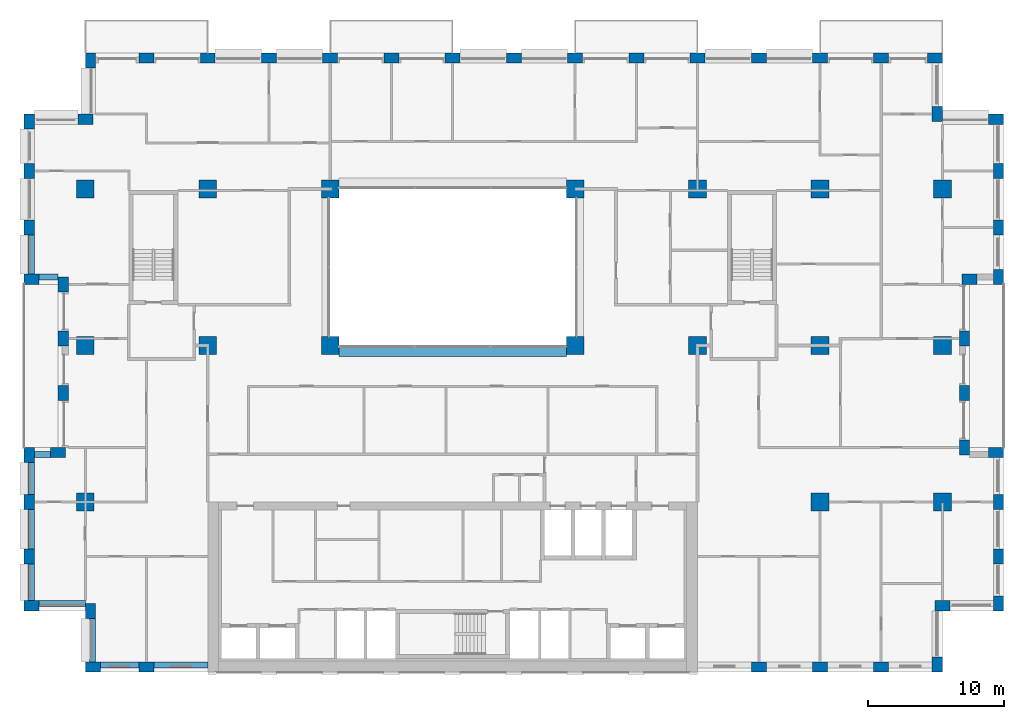
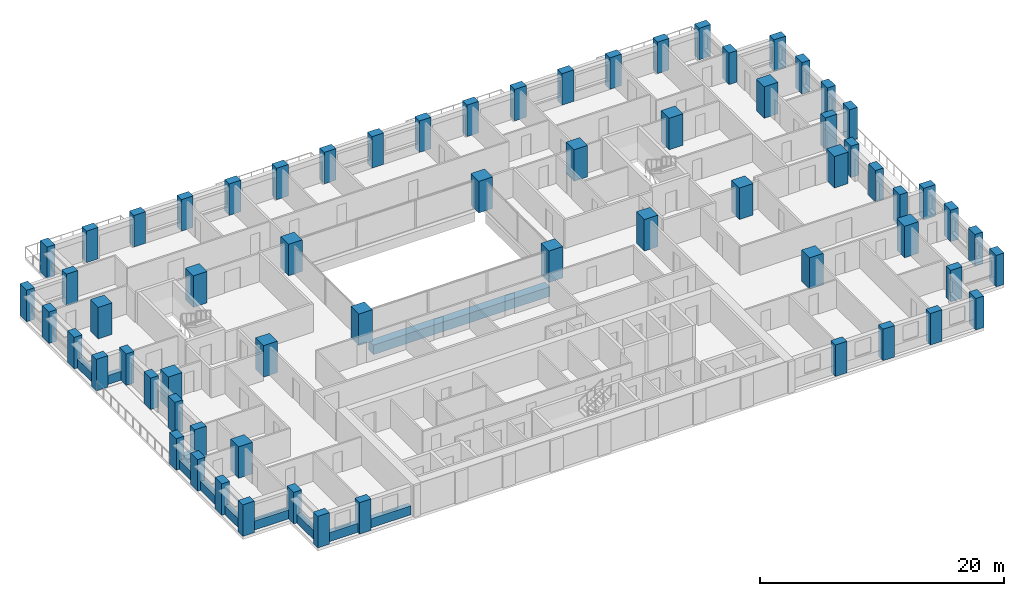
# One storey, part 1 of 16: 66 columns, 11 beams.
"""IFC4 building model written with IfcOpenShell, lengths in metres."""

from ifc_helpers import new_model, si_unit, direction, frame, origin, origin_2d, place, context, subcontext, project, spatial, rectangle, extrude, material, material_profile, profile_set, type_object, element, save


model = new_model("IFC4")

# Units and contexts
model_context = context("Model", 3, precision=1e-05, world=origin(), true_north=direction((0.0, 1.0)))
body_context = subcontext(model_context, "Body", "Model", "MODEL_VIEW")
ifc_project = project(units=[si_unit("LENGTHUNIT", "METRE"), si_unit("AREAUNIT", "SQUARE_METRE"), si_unit("VOLUMEUNIT", "CUBIC_METRE"), si_unit("PLANEANGLEUNIT", "RADIAN"), si_unit("MASSUNIT", "GRAM", prefix="KILO")], contexts=[model_context])

# Site, building, storey
site_placement = place(None, origin())
site = spatial("IfcSite", under=ifc_project, at=site_placement, CompositionType="ELEMENT")
building_placement = place(site_placement, origin())
building = spatial("IfcBuilding", under=site, at=building_placement, Name="Brigalow Station Residences", CompositionType="ELEMENT")
storey_placement = place(building_placement, frame((0.0, 0.0, 115.050048828125)))
storey = spatial("IfcBuildingStorey", under=building, at=storey_placement, Name="L33", CompositionType="ELEMENT", Elevation=115.050048828125)

# Columns
ifc_material_1 = material(Name="Concrete C65", Category="concrete")
ifc_material_profile_1 = material_profile(ifc_material_1, rectangle(XDim=1.300048828125, YDim=1.300048828125, at=origin_2d()), Name="RC1300x1300")
ifc_profile_set_1 = profile_set([ifc_material_profile_1], Name="Concrete C65")
column_type_1 = type_object("IfcColumnType", Name="COLUMN 1300x1300 C65", PredefinedType="COLUMN", material=ifc_profile_set_1)
for number, where, z_axis, x_axis, name in (
    (1, (9.0, 24.0, 0.0), (0.0, 0.0, 1.0), (1.0, 0.0, 0.0), "COLUMN C1 L33"),
    (2, (18.0, 24.0, 0.0), (0.0, 0.0, 1.0), (1.0, 0.0, 0.0), "COLUMN C2 L33"),
    (3, (27.0, 24.0, 0.0), (0.0, 0.0, 1.0), (1.0, 0.0, 0.0), "COLUMN C3 L33"),
    (4, (45.0, 24.0, 0.0), (0.0, 0.0, 1.0), (1.0, 0.0, 0.0), "COLUMN C5 L33"),
    (5, (54.0, 24.0, 0.0), (0.0, 0.0, 1.0), (1.0, 0.0, 0.0), "COLUMN C6 L33"),
    (6, (63.0, 24.0, 0.0), (0.0, 0.0, 1.0), (1.0, 0.0, 0.0), "COLUMN C7 L33"),
    (7, (72.0, 24.0, 0.0), (0.0, 0.0, 1.0), (1.0, 0.0, 0.0), "COLUMN C8 L33"),
    (8, (9.0, 35.5, 0.0), (0.0, 0.0, 1.0), (1.0, 0.0, 0.0), "COLUMN D1 L33"),
    (9, (18.0, 35.5, 0.0), (0.0, 0.0, 1.0), (1.0, 0.0, 0.0), "COLUMN D2 L33"),
    (10, (27.0, 35.5, 0.0), (0.0, 0.0, 1.0), (1.0, 0.0, 0.0), "COLUMN D3 L33"),
    (11, (45.0, 35.5, 0.0), (0.0, 0.0, 1.0), (1.0, 0.0, 0.0), "COLUMN D5 L33"),
    (12, (54.0, 35.5, 0.0), (0.0, 0.0, 1.0), (1.0, 0.0, 0.0), "COLUMN D6 L33"),
    (13, (63.0, 35.5, 0.0), (0.0, 0.0, 1.0), (1.0, 0.0, 0.0), "COLUMN D7 L33"),
    (14, (72.0, 35.5, 0.0), (0.0, 0.0, 1.0), (1.0, 0.0, 0.0), "COLUMN D8 L33"),
    (15, (9.0, 12.5, 0.0), (0.0, 0.0, 1.0), (1.0, 0.0, 0.0), "COLUMN B1 L33"),
    (16, (63.0, 12.5, 0.0), (0.0, 0.0, 1.0), (1.0, 0.0, 0.0), "COLUMN B7 L33"),
    (17, (72.0, 12.5, 0.0), (0.0, 0.0, 1.0), (1.0, 0.0, 0.0), "COLUMN B8 L33"),
):
    element("IfcColumn", number, at=place(storey_placement, frame(where, z_axis=z_axis, x_axis=x_axis)), inside=storey, type_object=column_type_1, Name=name, PredefinedType="COLUMN", context=body_context, shape_type="SweptSolid", body=[
        extrude(rectangle(XDim=1.300048828125, YDim=1.300048828125, at=origin_2d()), origin(), (0.0, 0.0, 1.0), 3.14990234375),
    ])
ifc_material_2 = material(Name="Concrete C65", Category="concrete")
ifc_material_profile_2 = material_profile(ifc_material_2, rectangle(XDim=1.10009765625, YDim=0.75, at=origin_2d()), Name="RC1100x750")
ifc_profile_set_2 = profile_set([ifc_material_profile_2], Name="Concrete C65")
column_type_2 = type_object("IfcColumnType", Name="PIER 1100x750 C65", PredefinedType="USERDEFINED", material=ifc_profile_set_2)
for number, where, z_axis, x_axis, name in (
    (18, (9.550048828125, 0.375, 0.0), (0.0, 0.0, 1.0), (1.0, 0.0, 0.0), "PIER S-1 L33"),
    (19, (13.5, 0.375, 0.0), (0.0, 0.0, 1.0), (1.0, 0.0, 0.0), "PIER S-2 L33"),
    (20, (58.5, 0.375, 0.0), (0.0, 0.0, 1.0), (1.0, 0.0, 0.0), "PIER S-12 L33"),
    (21, (63.0, 0.375, 0.0), (0.0, 0.0, 1.0), (1.0, 0.0, 0.0), "PIER S-13 L33"),
    (22, (67.5, 0.375, 0.0), (0.0, 0.0, 1.0), (1.0, 0.0, 0.0), "PIER S-14 L33"),
    (23, (71.625, 0.550048828125, 0.0), (0.0, 0.0, 1.0), (0.0, 1.0, 0.0), "PIER SE1-1 L33"),
    (24, (72.0, 4.875, 0.0), (0.0, 0.0, 1.0), (1.0, 0.0, 0.0), "PIER SE2-1 L33"),
    (25, (76.125, 5.050048828125, 0.0), (0.0, 0.0, 1.0), (0.0, 1.0, 0.0), "PIER E1-1 L33"),
    (26, (76.125, 8.5, 0.0), (0.0, 0.0, 1.0), (0.0, 1.0, 0.0), "PIER E1-2 L33"),
    (27, (76.125, 12.5, 0.0), (0.0, 0.0, 1.0), (0.0, 1.0, 0.0), "PIER E1-3 L33"),
    (28, (75.949951171875, 16.125, 0.0), (0.0, 0.0, 1.0), (-1.0, 0.0, 0.0), "PIER EL1-1 L33"),
    (29, (73.625, 16.5, 0.0), (0.0, 0.0, 1.0), (0.0, 1.0, 0.0), "PIER EL2-1 L33"),
    (30, (73.625, 20.5, 0.0), (0.0, 0.0, 1.0), (0.0, 1.0, 0.0), "PIER EL2-2 L33"),
    (31, (73.625, 24.5, 0.0), (0.0, 0.0, 1.0), (0.0, 1.0, 0.0), "PIER EL2-3 L33"),
    (32, (74.0, 28.875, 0.0), (0.0, 0.0, 1.0), (1.0, 0.0, 0.0), "PIER EL3-1 L33"),
    (33, (76.125, 29.050048828125, 0.0), (0.0, 0.0, 1.0), (0.0, 1.0, 0.0), "PIER E2-1 L33"),
    (34, (76.125, 32.6669921875, 0.0), (0.0, 0.0, 1.0), (0.0, 1.0, 0.0), "PIER E2-2 L33"),
    (35, (76.125, 36.8330078125, 0.0), (0.0, 0.0, 1.0), (0.0, 1.0, 0.0), "PIER E2-3 L33"),
    (36, (75.949951171875, 40.625, 0.0), (0.0, 0.0, 1.0), (-1.0, 0.0, 0.0), "PIER NE1-1 L33"),
    (37, (71.625, 41.0, 0.0), (0.0, 0.0, 1.0), (0.0, 1.0, 0.0), "PIER NE2-1 L33"),
    (38, (71.449951171875, 45.125, 0.0), (0.0, 0.0, 1.0), (-1.0, 0.0, 0.0), "PIER N-1 L33"),
    (39, (67.5, 45.125, 0.0), (0.0, 0.0, 1.0), (-1.0, 0.0, 0.0), "PIER N-2 L33"),
    (40, (63.0, 45.125, 0.0), (0.0, 0.0, 1.0), (-1.0, 0.0, 0.0), "PIER N-3 L33"),
    (41, (58.5, 45.125, 0.0), (0.0, 0.0, 1.0), (-1.0, 0.0, 0.0), "PIER N-4 L33"),
    (42, (54.0, 45.125, 0.0), (0.0, 0.0, 1.0), (-1.0, 0.0, 0.0), "PIER N-5 L33"),
    (43, (49.5, 45.125, 0.0), (0.0, 0.0, 1.0), (-1.0, 0.0, 0.0), "PIER N-6 L33"),
    (44, (45.0, 45.125, 0.0), (0.0, 0.0, 1.0), (-1.0, 0.0, 0.0), "PIER N-7 L33"),
    (45, (40.5, 45.125, 0.0), (0.0, 0.0, 1.0), (-1.0, 0.0, 0.0), "PIER N-8 L33"),
    (46, (36.0, 45.125, 0.0), (0.0, 0.0, 1.0), (-1.0, 0.0, 0.0), "PIER N-9 L33"),
    (47, (31.5, 45.125, 0.0), (0.0, 0.0, 1.0), (-1.0, 0.0, 0.0), "PIER N-10 L33"),
    (48, (27.0, 45.125, 0.0), (0.0, 0.0, 1.0), (-1.0, 0.0, 0.0), "PIER N-11 L33"),
    (49, (22.5, 45.125, 0.0), (0.0, 0.0, 1.0), (-1.0, 0.0, 0.0), "PIER N-12 L33"),
    (50, (18.0, 45.125, 0.0), (0.0, 0.0, 1.0), (-1.0, 0.0, 0.0), "PIER N-13 L33"),
    (51, (13.5, 45.125, 0.0), (0.0, 0.0, 1.0), (-1.0, 0.0, 0.0), "PIER N-14 L33"),
    (52, (9.375, 44.949951171875, 0.0), (0.0, 0.0, 1.0), (0.0, -1.0, 0.0), "PIER NW1-1 L33"),
    (53, (9.0, 40.625, 0.0), (0.0, 0.0, 1.0), (-1.0, 0.0, 0.0), "PIER NW2-1 L33"),
    (54, (4.875, 40.449951171875, 0.0), (0.0, 0.0, 1.0), (0.0, -1.0, 0.0), "PIER W2-1 L33"),
    (55, (4.875, 36.8330078125, 0.0), (0.0, 0.0, 1.0), (0.0, -1.0, 0.0), "PIER W2-2 L33"),
    (56, (4.875, 32.6669921875, 0.0), (0.0, 0.0, 1.0), (0.0, -1.0, 0.0), "PIER W2-3 L33"),
    (57, (5.050048828125, 28.875, 0.0), (0.0, 0.0, 1.0), (1.0, 0.0, 0.0), "PIER WL1-1 L33"),
    (58, (7.375, 28.5, 0.0), (0.0, 0.0, 1.0), (0.0, -1.0, 0.0), "PIER WL2-1 L33"),
    (59, (7.375, 24.5, 0.0), (0.0, 0.0, 1.0), (0.0, -1.0, 0.0), "PIER WL2-2 L33"),
    (60, (7.375, 20.5, 0.0), (0.0, 0.0, 1.0), (0.0, -1.0, 0.0), "PIER WL2-3 L33"),
    (61, (7.0, 16.125, 0.0), (0.0, 0.0, 1.0), (-1.0, 0.0, 0.0), "PIER WL3-1 L33"),
    (62, (4.875, 15.949951171875, 0.0), (0.0, 0.0, 1.0), (0.0, -1.0, 0.0), "PIER W1-1 L33"),
    (63, (4.875, 12.5, 0.0), (0.0, 0.0, 1.0), (0.0, -1.0, 0.0), "PIER W1-2 L33"),
    (64, (4.875, 8.5, 0.0), (0.0, 0.0, 1.0), (0.0, -1.0, 0.0), "PIER W1-3 L33"),
    (65, (5.050048828125, 4.875, 0.0), (0.0, 0.0, 1.0), (1.0, 0.0, 0.0), "PIER SW1-1 L33"),
    (66, (9.375, 4.5, 0.0), (0.0, 0.0, 1.0), (0.0, -1.0, 0.0), "PIER SW2-1 L33"),
):
    element("IfcColumn", number, at=place(storey_placement, frame(where, z_axis=z_axis, x_axis=x_axis)), inside=storey, type_object=column_type_2, Name=name, ObjectType="PIER", PredefinedType="USERDEFINED", context=body_context, shape_type="SweptSolid", body=[
        extrude(rectangle(XDim=1.10009765625, YDim=0.75, at=origin_2d()), origin(), (0.0, 0.0, 1.0), 3.14990234375),
    ])

# Beams
ifc_material_3 = material(Name="Concrete C65", Category="concrete")
ifc_material_profile_3 = material_profile(ifc_material_3, rectangle(XDim=0.800048828125, YDim=0.949951171875, at=origin_2d()), Name="RC800x950")
ifc_profile_set_3 = profile_set([ifc_material_profile_3], Name="Concrete C65")
beam_type_1 = type_object("IfcBeamType", Name="ATRIUM EDGE GIRDER OVER 13.5 M SPAN 800x950 C65", PredefinedType="BEAM", material=ifc_profile_set_3)
beam_1_placement = place(storey_placement, frame((27.64990234375, 23.60009765625, -0.795166015625), z_axis=(1.0, 0.0, 0.0), x_axis=(0.0, 1.0, 0.0)))
element("IfcBeam", 67, at=beam_1_placement, inside=storey, type_object=beam_type_1, Name="ATRIUM EDGE GIRDER C L33", PredefinedType="BEAM", context=body_context, shape_type="SweptSolid", body=[
    extrude(rectangle(XDim=0.800048828125, YDim=0.949951171875, at=origin_2d()), origin(), (0.0, 0.0, 1.0), 16.7001953125),
])
ifc_material_4 = material(Name="Concrete C65", Category="concrete")
ifc_material_profile_4 = material_profile(ifc_material_4, rectangle(XDim=0.449951171875, YDim=0.89990234375, at=origin_2d()), Name="RC450x900")
ifc_profile_set_4 = profile_set([ifc_material_profile_4], Name="Concrete C65")
beam_type_2 = type_object("IfcBeamType", Name="SPANDREL BEAM 450x900 C65", PredefinedType="SPANDREL", material=ifc_profile_set_4)
beam_2_placement = place(storey_placement, frame((10.10009765625, 0.52490234375, 0.449951171875), z_axis=(1.0, 0.0, 0.0), x_axis=(0.0, 1.0, 0.0)))
element("IfcBeam", 68, at=beam_2_placement, inside=storey, type_object=beam_type_2, Name="L33/spandrel/W-L33-1", PredefinedType="SPANDREL", context=body_context, shape_type="SweptSolid", body=[
    extrude(rectangle(XDim=0.449951171875, YDim=0.89990234375, at=origin_2d()), origin(), (0.0, 0.0, 1.0), 2.849853515625),
])
beam_3_placement = place(storey_placement, frame((14.050048828125, 0.52490234375, 0.449951171875), z_axis=(1.0, 0.0, 0.0), x_axis=(0.0, 1.0, 0.0)))
element("IfcBeam", 69, at=beam_3_placement, inside=storey, type_object=beam_type_2, Name="L33/spandrel/W-L33-2", PredefinedType="SPANDREL", context=body_context, shape_type="SweptSolid", body=[
    extrude(rectangle(XDim=0.449951171875, YDim=0.89990234375, at=origin_2d()), origin(), (0.0, 0.0, 1.0), 3.949951171875),
])
beam_4_placement = place(storey_placement, frame((5.02490234375, 32.116943359375, 0.449951171875), z_axis=(0.0, -1.0, 0.0), x_axis=(1.0, 0.0, 0.0)))
element("IfcBeam", 70, at=beam_4_placement, inside=storey, type_object=beam_type_2, Name="L33/spandrel/W-L33-41", PredefinedType="SPANDREL", context=body_context, shape_type="SweptSolid", body=[
    extrude(rectangle(XDim=0.449951171875, YDim=0.89990234375, at=origin_2d()), origin(), (0.0, 0.0, 1.0), 2.866943359375),
])
beam_5_placement = place(storey_placement, frame((5.60009765625, 29.02490234375, 0.449951171875), z_axis=(1.0, 0.0, 0.0), x_axis=(0.0, 1.0, 0.0)))
element("IfcBeam", 71, at=beam_5_placement, inside=storey, type_object=beam_type_2, Name="L33/spandrel/W-L33-42", PredefinedType="SPANDREL", context=body_context, shape_type="SweptSolid", body=[
    extrude(rectangle(XDim=0.449951171875, YDim=0.89990234375, at=origin_2d()), origin(), (0.0, 0.0, 1.0), 1.39990234375),
])
beam_6_placement = place(storey_placement, frame((6.449951171875, 15.97509765625, 0.449951171875), z_axis=(-1.0, 0.0, 0.0), x_axis=(0.0, -1.0, 0.0)))
element("IfcBeam", 72, at=beam_6_placement, inside=storey, type_object=beam_type_2, Name="L33/spandrel/W-L33-46", PredefinedType="SPANDREL", context=body_context, shape_type="SweptSolid", body=[
    extrude(rectangle(XDim=0.449951171875, YDim=0.89990234375, at=origin_2d()), origin(), (0.0, 0.0, 1.0), 1.199951171875),
])
beam_7_placement = place(storey_placement, frame((5.02490234375, 15.39990234375, 0.449951171875), z_axis=(0.0, -1.0, 0.0), x_axis=(1.0, 0.0, 0.0)))
element("IfcBeam", 73, at=beam_7_placement, inside=storey, type_object=beam_type_2, Name="L33/spandrel/W-L33-47", PredefinedType="SPANDREL", context=body_context, shape_type="SweptSolid", body=[
    extrude(rectangle(XDim=0.449951171875, YDim=0.89990234375, at=origin_2d()), origin(), (0.0, 0.0, 1.0), 2.349853515625),
])
beam_8_placement = place(storey_placement, frame((5.02490234375, 11.949951171875, 0.449951171875), z_axis=(0.0, -1.0, 0.0), x_axis=(1.0, 0.0, 0.0)))
element("IfcBeam", 74, at=beam_8_placement, inside=storey, type_object=beam_type_2, Name="L33/spandrel/W-L33-48", PredefinedType="SPANDREL", context=body_context, shape_type="SweptSolid", body=[
    extrude(rectangle(XDim=0.449951171875, YDim=0.89990234375, at=origin_2d()), origin(), (0.0, 0.0, 1.0), 2.89990234375),
])
beam_9_placement = place(storey_placement, frame((5.02490234375, 7.949951171875, 0.449951171875), z_axis=(0.0, -1.0, 0.0), x_axis=(1.0, 0.0, 0.0)))
element("IfcBeam", 75, at=beam_9_placement, inside=storey, type_object=beam_type_2, Name="L33/spandrel/W-L33-49", PredefinedType="SPANDREL", context=body_context, shape_type="SweptSolid", body=[
    extrude(rectangle(XDim=0.449951171875, YDim=0.89990234375, at=origin_2d()), origin(), (0.0, 0.0, 1.0), 2.699951171875),
])
beam_10_placement = place(storey_placement, frame((5.60009765625, 5.02490234375, 0.449951171875), z_axis=(1.0, 0.0, 0.0), x_axis=(0.0, 1.0, 0.0)))
element("IfcBeam", 76, at=beam_10_placement, inside=storey, type_object=beam_type_2, Name="L33/spandrel/W-L33-50", PredefinedType="SPANDREL", context=body_context, shape_type="SweptSolid", body=[
    extrude(rectangle(XDim=0.449951171875, YDim=0.89990234375, at=origin_2d()), origin(), (0.0, 0.0, 1.0), 3.39990234375),
])
beam_11_placement = place(storey_placement, frame((9.52490234375, 3.949951171875, 0.449951171875), z_axis=(0.0, -1.0, 0.0), x_axis=(1.0, 0.0, 0.0)))
element("IfcBeam", 77, at=beam_11_placement, inside=storey, type_object=beam_type_2, Name="L33/spandrel/W-L33-51", PredefinedType="SPANDREL", context=body_context, shape_type="SweptSolid", body=[
    extrude(rectangle(XDim=0.449951171875, YDim=0.89990234375, at=origin_2d()), origin(), (0.0, 0.0, 1.0), 3.199951171875),
])

save(model, "model.ifc")
